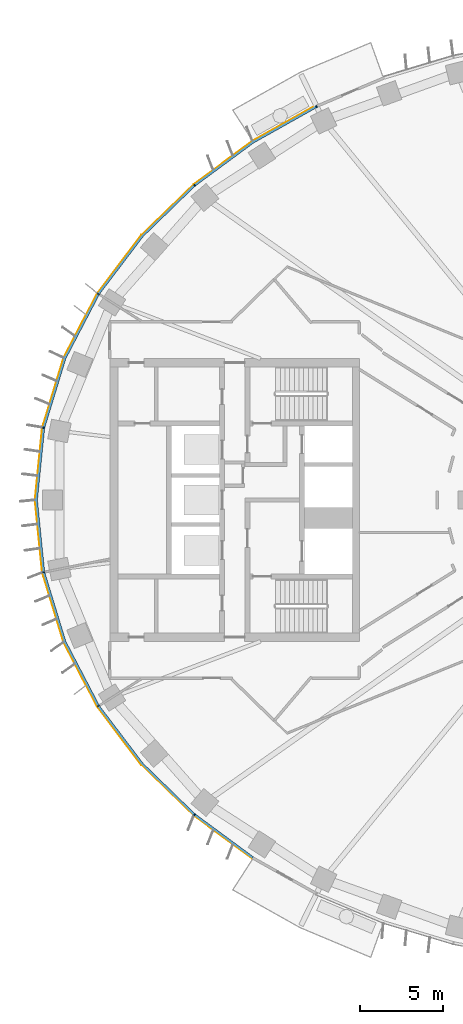
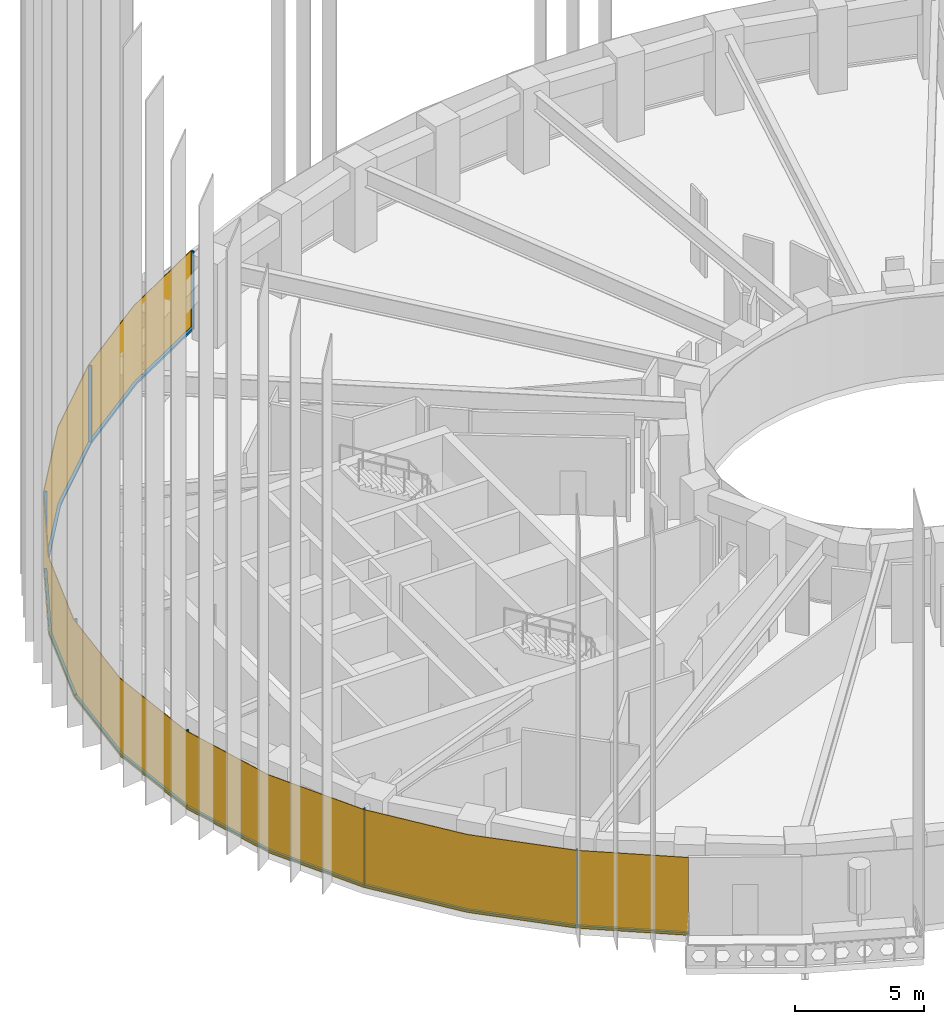
# One storey, part 8 of 19: 14 members, 1 curtain wall.
"""IFC4 building model written with IfcOpenShell, lengths in metres."""

from ifc_helpers import new_model, si_unit, direction, frame, origin, origin_2d, place, context, subcontext, project, spatial, polyline, rectangle, outline, extrude, material, layer, layer_set, material_profile, profile_set, type_object, element, aggregate, save


model = new_model("IFC4")

# Units and contexts
model_context = context("Model", 3, precision=1e-05, world=origin(), true_north=direction((0.0, 1.0)))
body_context = subcontext(model_context, "Body", "Model", "MODEL_VIEW")
ifc_project = project(units=[si_unit("LENGTHUNIT", "METRE"), si_unit("AREAUNIT", "SQUARE_METRE"), si_unit("VOLUMEUNIT", "CUBIC_METRE"), si_unit("PLANEANGLEUNIT", "RADIAN"), si_unit("MASSUNIT", "GRAM", prefix="KILO")], contexts=[model_context])

# Member
ifc_material_1 = material(Name="Aluminium 6063-T6 black anodised", Category="aluminium")
ifc_material_profile = material_profile(ifc_material_1, rectangle(XDim=0.1201171875, YDim=0.06005859375, at=origin_2d()), Name="120x60")
ifc_profile_set = profile_set([ifc_material_profile], Name="Aluminium 6063-T6 black anodised")
member_type_1 = type_object("IfcMemberType", Name="ENV-MULLION-A-120", PredefinedType="MULLION", material=ifc_profile_set)
site_placement = place(None, origin())
building_placement = place(site_placement, origin())
storey_placement = place(building_placement, frame((0.0, 0.0, 146.0)))
member_1_placement = place(storey_placement, frame((-19.06787109375, 23.6474609375, 0.0), z_axis=(0.0, 0.0, 1.0), x_axis=(0.439237769837, -0.898370848563, 0.0)))
member_1 = element("IfcMember", 1, at=member_1_placement, type_object=member_type_1, Name="Mullion A radial 17", PredefinedType="MULLION", context=body_context, shape_type="SweptSolid", body=[
    extrude(rectangle(XDim=0.1201171875, YDim=0.06005859375, at=origin_2d()), origin(), (0.0, 0.0, 1.0), 3.699951171875),
])

member_2_placement = place(storey_placement, frame((-26.403564453125, 18.9130859375, 0.0), z_axis=(0.0, 0.0, 1.0), x_axis=(0.646451313783, -0.762955240435, 0.0)))
member_2 = element("IfcMember", 2, at=member_2_placement, type_object=member_type_1, Name="Mullion A radial 19", PredefinedType="MULLION", context=body_context, shape_type="SweptSolid", body=[
    extrude(rectangle(XDim=0.1201171875, YDim=0.06005859375, at=origin_2d()), origin(), (0.0, 0.0, 1.0), 3.699951171875),
])

member_3_placement = place(storey_placement, frame((-32.177490234375, 12.385498046875, 0.0), z_axis=(0.0, 0.0, 1.0), x_axis=(0.844829880882, -0.53503501976, 0.0)))
member_3 = element("IfcMember", 3, at=member_3_placement, type_object=member_type_1, Name="Mullion A radial 21", PredefinedType="MULLION", context=body_context, shape_type="SweptSolid", body=[
    extrude(rectangle(XDim=0.1201171875, YDim=0.06005859375, at=origin_2d()), origin(), (0.0, 0.0, 1.0), 3.699951171875),
])

member_4_placement = place(storey_placement, frame((-35.470947265625, 4.340576171875, 0.0), z_axis=(0.0, 0.0, 1.0), x_axis=(0.980379083141, -0.19712141776, 0.0)))
member_4 = element("IfcMember", 4, at=member_4_placement, type_object=member_type_1, Name="Mullion A radial 23", PredefinedType="MULLION", context=body_context, shape_type="SweptSolid", body=[
    extrude(rectangle(XDim=0.1201171875, YDim=0.06005859375, at=origin_2d()), origin(), (0.0, 0.0, 1.0), 3.699951171875),
])

member_5_placement = place(storey_placement, frame((-35.470947265625, -4.340576171875, 0.0), z_axis=(0.0, 0.0, 1.0), x_axis=(0.980379083141, 0.19712141776, 0.0)))
member_5 = element("IfcMember", 5, at=member_5_placement, type_object=member_type_1, Name="Mullion A radial 25", PredefinedType="MULLION", context=body_context, shape_type="SweptSolid", body=[
    extrude(rectangle(XDim=0.1201171875, YDim=0.06005859375, at=origin_2d()), origin(), (0.0, 0.0, 1.0), 3.699951171875),
])

member_6_placement = place(storey_placement, frame((-32.177490234375, -12.385498046875, 0.0), z_axis=(0.0, 0.0, 1.0), x_axis=(0.844829880882, 0.53503501976, 0.0)))
member_6 = element("IfcMember", 6, at=member_6_placement, type_object=member_type_1, Name="Mullion A radial 27", PredefinedType="MULLION", context=body_context, shape_type="SweptSolid", body=[
    extrude(rectangle(XDim=0.1201171875, YDim=0.06005859375, at=origin_2d()), origin(), (0.0, 0.0, 1.0), 3.699951171875),
])

member_7_placement = place(storey_placement, frame((-26.403564453125, -18.9130859375, 0.0), z_axis=(0.0, 0.0, 1.0), x_axis=(0.646451313783, 0.762955240435, 0.0)))
member_7 = element("IfcMember", 7, at=member_7_placement, type_object=member_type_1, Name="Mullion A radial 29", PredefinedType="MULLION", context=body_context, shape_type="SweptSolid", body=[
    extrude(rectangle(XDim=0.1201171875, YDim=0.06005859375, at=origin_2d()), origin(), (0.0, 0.0, 1.0), 3.699951171875),
])

ifc_material_2 = material(Name="Aluminium 6063-T6 black anodised", Category="aluminium")
member_type_2 = type_object("IfcMemberType", Name="ENV-TRANSOM-A", PredefinedType="USERDEFINED", material=ifc_material_2)
member_8_placement = place(storey_placement, origin())
member_8 = element("IfcMember", 8, at=member_8_placement, type_object=member_type_2, Name="Transom A radial 17-19", ObjectType="TRANSOM", PredefinedType="USERDEFINED", context=body_context, shape_type="SweptSolid", body=[
    extrude(outline(polyline([(-19.11865234375, 23.687744140625), (-22.9150390625, 21.556884765625), (-26.419921875, 18.975341796875), (-26.342041015625, 18.883544921875), (-22.85009765625, 21.455810546875), (-19.06591796875, 23.57958984375), (-19.11865234375, 23.687744140625)])), origin(), (0.0, 0.0, 1.0), 0.10009765625),
])

member_9_placement = place(storey_placement, origin())
member_9 = element("IfcMember", 9, at=member_9_placement, type_object=member_type_2, Name="Transom A radial 19-21", ObjectType="TRANSOM", PredefinedType="USERDEFINED", context=body_context, shape_type="SweptSolid", body=[
    extrude(outline(polyline([(-26.46240234375, 18.939208984375), (-29.58349609375, 15.906982421875), (-32.211181640625, 12.43994140625), (-32.109375, 12.37548828125), (-29.493408203125, 15.8271484375), (-26.384765625, 18.847412109375), (-26.46240234375, 18.939208984375)])), origin(), (0.0, 0.0, 1.0), 0.10009765625),
])

member_10_placement = place(storey_placement, origin())
member_10 = element("IfcMember", 10, at=member_10_placement, type_object=member_type_2, Name="Transom A radial 21-23", ObjectType="TRANSOM", PredefinedType="USERDEFINED", context=body_context, shape_type="SweptSolid", body=[
    extrude(outline(polyline([(-32.240966796875, 12.392578125), (-34.251220703125, 8.53662109375), (-35.521484375, 4.379150390625), (-35.4033203125, 4.355224609375), (-34.139892578125, 8.490966796875), (-32.139404296875, 12.328369140625), (-32.240966796875, 12.392578125)])), origin(), (0.0, 0.0, 1.0), 0.10009765625),
])

member_11_placement = place(storey_placement, origin())
member_11 = element("IfcMember", 11, at=member_11_placement, type_object=member_type_2, Name="Transom A radial 23-25", ObjectType="TRANSOM", PredefinedType="USERDEFINED", context=body_context, shape_type="SweptSolid", body=[
    extrude(outline(polyline([(-35.532470703125, 4.324462890625), (-35.9677734375, 0.0), (-35.532470703125, -4.324462890625), (-35.414306640625, -4.30078125), (-35.84716796875, 0.0), (-35.414306640625, 4.30078125), (-35.532470703125, 4.324462890625)])), origin(), (0.0, 0.0, 1.0), 0.10009765625),
])

member_12_placement = place(storey_placement, origin())
member_12 = element("IfcMember", 12, at=member_12_placement, type_object=member_type_2, Name="Transom A radial 25-27", ObjectType="TRANSOM", PredefinedType="USERDEFINED", context=body_context, shape_type="SweptSolid", body=[
    extrude(outline(polyline([(-35.521484375, -4.379150390625), (-34.251220703125, -8.53662109375), (-32.240966796875, -12.392578125), (-32.139404296875, -12.328369140625), (-34.139892578125, -8.490966796875), (-35.4033203125, -4.355224609375), (-35.521484375, -4.379150390625)])), origin(), (0.0, 0.0, 1.0), 0.10009765625),
])

member_13_placement = place(storey_placement, origin())
member_13 = element("IfcMember", 13, at=member_13_placement, type_object=member_type_2, Name="Transom A radial 27-29", ObjectType="TRANSOM", PredefinedType="USERDEFINED", context=body_context, shape_type="SweptSolid", body=[
    extrude(outline(polyline([(-32.211181640625, -12.43994140625), (-29.58349609375, -15.906982421875), (-26.46240234375, -18.939208984375), (-26.384765625, -18.847412109375), (-29.493408203125, -15.8271484375), (-32.109375, -12.37548828125), (-32.211181640625, -12.43994140625)])), origin(), (0.0, 0.0, 1.0), 0.10009765625),
])

member_14_placement = place(storey_placement, origin())
member_14 = element("IfcMember", 14, at=member_14_placement, type_object=member_type_2, Name="Transom A radial 29-30", ObjectType="TRANSOM", PredefinedType="USERDEFINED", context=body_context, shape_type="SweptSolid", body=[
    extrude(outline(polyline([(-26.419921875, -18.975341796875), (-22.931396484375, -21.544921875), (-22.8662109375, -21.444091796875), (-26.342041015625, -18.883544921875), (-26.419921875, -18.975341796875)])), origin(), (0.0, 0.0, 1.0), 0.10009765625),
])

# Site, building, storey
site = spatial("IfcSite", under=ifc_project, at=site_placement, CompositionType="ELEMENT")
building = spatial("IfcBuilding", under=site, at=building_placement, Name="Noorbagh Ring Tower", CompositionType="ELEMENT")
storey = spatial("IfcBuildingStorey", under=building, at=storey_placement, Name="L33", CompositionType="ELEMENT", Elevation=146.0)

# Curtain wall
ifc_material_3 = material(Name="Glass dark tinted laminated", Category="glass")
ifc_layer = layer(ifc_material_3, 0.031982421875)
ifc_layer_set = layer_set([ifc_layer], Name="Glass dark tinted laminated")
curtain_wall_type = type_object("IfcCurtainWallType", Name="ENV-CW-A", PredefinedType="NOTDEFINED", material=ifc_layer_set)
curtain_wall_placement = place(storey_placement, origin())
curtain_wall = element("IfcCurtainWall", 15, at=curtain_wall_placement, inside=storey, type_object=curtain_wall_type, Name="Curtain wall A R17", PredefinedType="NOTDEFINED", context=body_context, shape_type="SweptSolid", body=[
    extrude(outline(polyline([(-19.125732421875, 23.720458984375), (-22.9326171875, 21.583740234375), (-26.463134765625, 18.9833984375), (-29.607666015625, 15.927978515625), (-32.255126953125, 12.434814453125), (-34.281005859375, 8.548828125), (-35.561279296875, 4.358642578125), (-36.0, 0.0), (-35.561279296875, -4.358642578125), (-34.281005859375, -8.548828125), (-32.255126953125, -12.434814453125), (-29.607666015625, -15.927978515625), (-26.463134765625, -18.9833984375), (-22.948486328125, -21.572021484375), (-22.931396484375, -21.544921875), (-26.4423828125, -18.958740234375), (-29.58349609375, -15.906982421875), (-32.22802734375, -12.41748046875), (-34.251220703125, -8.53662109375), (-35.529541015625, -4.352294921875), (-35.9677734375, 0.0), (-35.529541015625, 4.352294921875), (-34.251220703125, 8.53662109375), (-32.22802734375, 12.41748046875), (-29.58349609375, 15.906982421875), (-26.4423828125, 18.958740234375), (-22.9150390625, 21.556884765625), (-19.111572265625, 23.691650390625), (-19.125732421875, 23.720458984375)])), origin(), (0.0, 0.0, 1.0), 3.699951171875),
])

aggregate(curtain_wall, [member_1, member_2, member_3, member_4, member_5, member_6, member_7, member_8, member_9, member_10, member_11, member_12, member_13, member_14])

save(model, "model.ifc")
